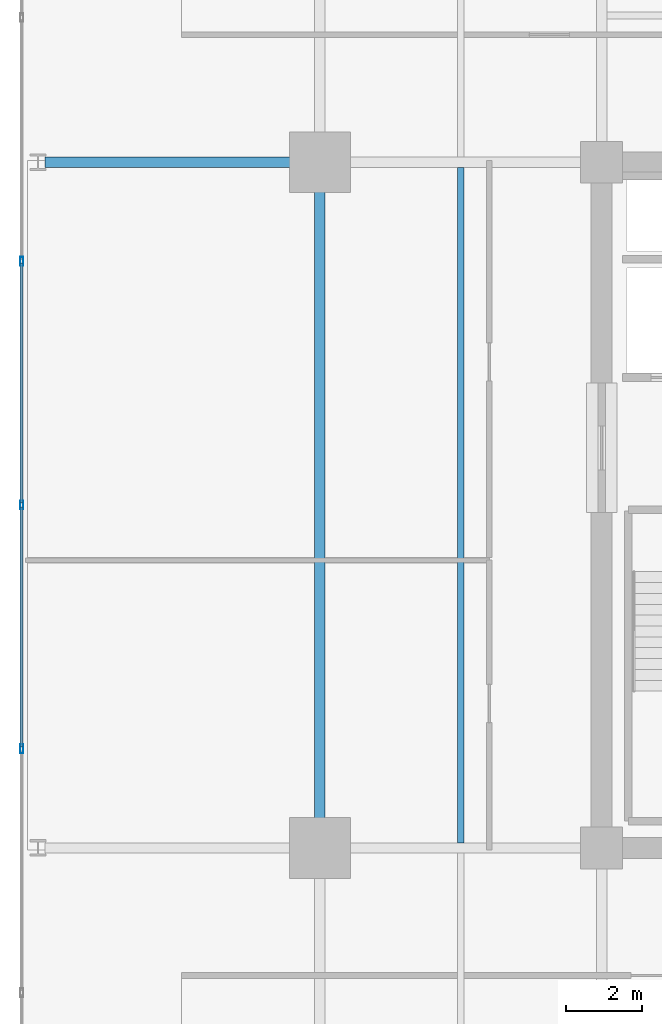
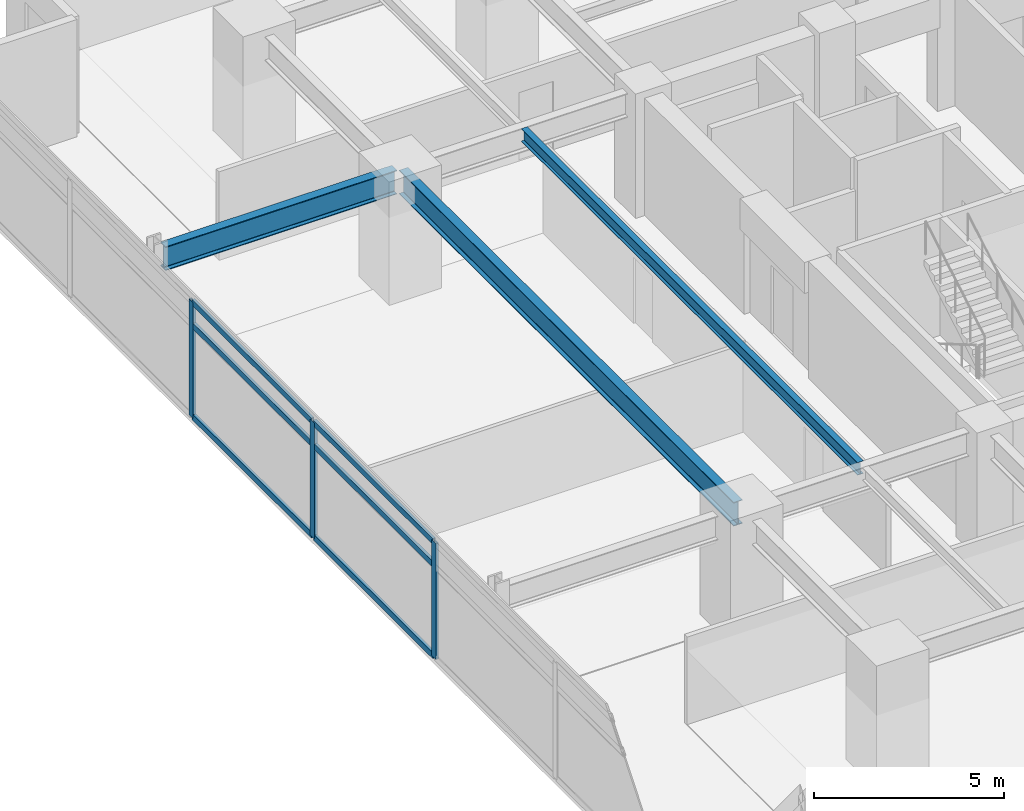
# One storey, part 6 of 20: 9 members, 3 beams, 1 element without a shape of its own.
"""IFC4 building model written with IfcOpenShell, lengths in metres."""

from ifc_helpers import new_model, si_unit, direction, frame, origin, origin_2d, place, context, subcontext, project, spatial, hollow_rectangle, i_section, extrude, material, material_profile, profile_set, type_object, element, aggregate, save


model = new_model("IFC4")

# Units and contexts
model_context = context("Model", 3, precision=1e-05, world=origin(), true_north=direction((0.0, 1.0)))
body_context = subcontext(model_context, "Body", "Model", "MODEL_VIEW")
ifc_project = project(units=[si_unit("LENGTHUNIT", "METRE"), si_unit("AREAUNIT", "SQUARE_METRE"), si_unit("VOLUMEUNIT", "CUBIC_METRE"), si_unit("PLANEANGLEUNIT", "RADIAN"), si_unit("MASSUNIT", "GRAM", prefix="KILO")], contexts=[model_context])

# Site, building, storey
site_placement = place(None, origin())
site = spatial("IfcSite", under=ifc_project, at=site_placement, CompositionType="ELEMENT")
building_placement = place(site_placement, origin())
building = spatial("IfcBuilding", under=site, at=building_placement, Name="Kovane Verandah Tower", CompositionType="ELEMENT")
storey_placement = place(building_placement, frame((0.0, 0.0, 128.39990234375)))
storey = spatial("IfcBuildingStorey", under=building, at=storey_placement, Name="L29", CompositionType="ELEMENT", Elevation=128.39990234375)

# Beams
ifc_material_1 = material(Name="Steel S355", Category="steel")
ifc_material_profile_1 = material_profile(ifc_material_1, i_section(OverallWidth=0.26806640625, OverallDepth=0.769775390625, WebThickness=0.015625, FlangeThickness=0.025390625, FilletRadius=0.0166015625, at=origin_2d()), Name="UB762x267x197")
ifc_profile_set_1 = profile_set([ifc_material_profile_1], Name="Steel S355")
beam_type_1 = type_object("IfcBeamType", Name="BM-UB762x197", PredefinedType="BEAM", material=ifc_profile_set_1)
beam_1_placement = place(storey_placement, frame((21.60009765625, 18.679931640625, 3.39013671875), z_axis=(0.0, 1.0, 0.0), x_axis=(-1.0, 0.0, 0.0)))
element("IfcBeam", 1, at=beam_1_placement, inside=storey, type_object=beam_type_1, Name="L29 Primary Tower Girder G-RW2", PredefinedType="BEAM", context=body_context, shape_type="SweptSolid", body=[
    extrude(i_section(OverallWidth=0.26806640625, OverallDepth=0.769775390625, WebThickness=0.015625, FlangeThickness=0.025390625, FilletRadius=0.0166015625, at=origin_2d()), origin(), (0.0, 0.0, 1.0), 17.64013671875),
])
beam_2_placement = place(storey_placement, frame((21.419921875, 36.5, 3.375244140625), z_axis=(-1.0, 0.0, 0.0), x_axis=(0.0, -1.0, 0.0)))
element("IfcBeam", 2, at=beam_2_placement, inside=storey, type_object=beam_type_1, Name="L29 Primary Tower Girder G-VW2", PredefinedType="BEAM", context=body_context, shape_type="SweptSolid", body=[
    extrude(i_section(OverallWidth=0.26806640625, OverallDepth=0.769775390625, WebThickness=0.015625, FlangeThickness=0.025390625, FilletRadius=0.0166015625, at=origin_2d()), origin(), (0.0, 0.0, 1.0), 7.0400390625),
])

# Curtain wall, members
ifc_material_2 = material(Name="Champagne Anodised Aluminium Frame with Low-E Clear Laminated Glass", Category="aluminium")
curtain_wall_type = type_object("IfcCurtainWallType", Name="CW-SYS-03-MID", PredefinedType="NOTDEFINED", material=ifc_material_2)
curtain_wall_placement = place(storey_placement, origin())
curtain_wall = element("IfcCurtainWall", 3, at=curtain_wall_placement, inside=storey, type_object=curtain_wall_type, Name="L29 W Unitised Curtain Wall", PredefinedType="NOTDEFINED")
ifc_material_3 = material(Name="Champagne Anodised Aluminium 6063-T6", Category="aluminium")
ifc_material_profile_2 = material_profile(ifc_material_3, hollow_rectangle(XDim=0.0849609375, YDim=0.22998046875, WallThickness=0.00390625, at=origin_2d()), Name="AL85x230x4")
ifc_profile_set_2 = profile_set([ifc_material_profile_2], Name="Champagne Anodised Aluminium 6063-T6")
member_type_1 = type_object("IfcMemberType", Name="CW-MUL-85x230", PredefinedType="MULLION", material=ifc_profile_set_2)
member_1_placement = place(storey_placement, frame((13.771240234375, 33.89990234375, 0.02001953125), z_axis=(0.0, 0.0, 1.0), x_axis=(-1.0, 0.0, 0.0)))
member_1 = element("IfcMember", 4, at=member_1_placement, type_object=member_type_1, Name="L29 W Unitised Curtain Wall Mullion 3", PredefinedType="MULLION", context=body_context, shape_type="SweptSolid", body=[
    extrude(hollow_rectangle(XDim=0.0849609375, YDim=0.22998046875, WallThickness=0.00390625, at=origin_2d()), origin(), (0.0, 0.0, 1.0), 3.735107421875),
])
member_2_placement = place(storey_placement, frame((13.771240234375, 27.5, 0.02001953125), z_axis=(0.0, 0.0, 1.0), x_axis=(-1.0, 0.0, 0.0)))
member_2 = element("IfcMember", 5, at=member_2_placement, type_object=member_type_1, Name="L29 W Unitised Curtain Wall Mullion 4", PredefinedType="MULLION", context=body_context, shape_type="SweptSolid", body=[
    extrude(hollow_rectangle(XDim=0.0849609375, YDim=0.22998046875, WallThickness=0.00390625, at=origin_2d()), origin(), (0.0, 0.0, 1.0), 3.735107421875),
])
member_3_placement = place(storey_placement, frame((13.771240234375, 21.10009765625, 0.02001953125), z_axis=(0.0, 0.0, 1.0), x_axis=(-1.0, 0.0, 0.0)))
member_3 = element("IfcMember", 6, at=member_3_placement, type_object=member_type_1, Name="L29 W Unitised Curtain Wall Mullion 5", PredefinedType="MULLION", context=body_context, shape_type="SweptSolid", body=[
    extrude(hollow_rectangle(XDim=0.0849609375, YDim=0.22998046875, WallThickness=0.00390625, at=origin_2d()), origin(), (0.0, 0.0, 1.0), 3.735107421875),
])
ifc_material_profile_3 = material_profile(ifc_material_3, hollow_rectangle(XDim=0.0849609375, YDim=0.18994140625, WallThickness=0.00390625, at=origin_2d()), Name="AL85x190x4")
ifc_profile_set_3 = profile_set([ifc_material_profile_3], Name="Champagne Anodised Aluminium 6063-T6")
member_type_2 = type_object("IfcMemberType", Name="CW-TRN-85x190", PredefinedType="USERDEFINED", material=ifc_profile_set_3)
member_4_placement = place(storey_placement, frame((13.771240234375, 33.85009765625, 0.050048828125), z_axis=(0.0, -1.0, 0.0), x_axis=(1.0, 0.0, 0.0)))
member_4 = element("IfcMember", 7, at=member_4_placement, type_object=member_type_2, Name="L29 W Unitised Curtain Wall Transom TB Bay 3", ObjectType="TRANSOM", PredefinedType="USERDEFINED", context=body_context, shape_type="SweptSolid", body=[
    extrude(hollow_rectangle(XDim=0.0849609375, YDim=0.18994140625, WallThickness=0.00390625, at=origin_2d()), origin(), (0.0, 0.0, 1.0), 6.300048828125),
])
member_5_placement = place(storey_placement, frame((13.771240234375, 33.85009765625, 2.9951171875), z_axis=(0.0, -1.0, 0.0), x_axis=(1.0, 0.0, 0.0)))
member_5 = element("IfcMember", 8, at=member_5_placement, type_object=member_type_2, Name="L29 W Unitised Curtain Wall Transom TM Bay 3", ObjectType="TRANSOM", PredefinedType="USERDEFINED", context=body_context, shape_type="SweptSolid", body=[
    extrude(hollow_rectangle(XDim=0.0849609375, YDim=0.18994140625, WallThickness=0.00390625, at=origin_2d()), origin(), (0.0, 0.0, 1.0), 6.300048828125),
])
member_6_placement = place(storey_placement, frame((13.771240234375, 33.85009765625, 3.72509765625), z_axis=(0.0, -1.0, 0.0), x_axis=(1.0, 0.0, 0.0)))
member_6 = element("IfcMember", 9, at=member_6_placement, type_object=member_type_2, Name="L29 W Unitised Curtain Wall Transom TT Bay 3", ObjectType="TRANSOM", PredefinedType="USERDEFINED", context=body_context, shape_type="SweptSolid", body=[
    extrude(hollow_rectangle(XDim=0.0849609375, YDim=0.18994140625, WallThickness=0.00390625, at=origin_2d()), origin(), (0.0, 0.0, 1.0), 6.300048828125),
])
member_7_placement = place(storey_placement, frame((13.771240234375, 27.449951171875, 0.050048828125), z_axis=(0.0, -1.0, 0.0), x_axis=(1.0, 0.0, 0.0)))
member_7 = element("IfcMember", 10, at=member_7_placement, type_object=member_type_2, Name="L29 W Unitised Curtain Wall Transom TB Bay 4", ObjectType="TRANSOM", PredefinedType="USERDEFINED", context=body_context, shape_type="SweptSolid", body=[
    extrude(hollow_rectangle(XDim=0.0849609375, YDim=0.18994140625, WallThickness=0.00390625, at=origin_2d()), origin(), (0.0, 0.0, 1.0), 6.300048828125),
])
member_8_placement = place(storey_placement, frame((13.771240234375, 27.449951171875, 2.9951171875), z_axis=(0.0, -1.0, 0.0), x_axis=(1.0, 0.0, 0.0)))
member_8 = element("IfcMember", 11, at=member_8_placement, type_object=member_type_2, Name="L29 W Unitised Curtain Wall Transom TM Bay 4", ObjectType="TRANSOM", PredefinedType="USERDEFINED", context=body_context, shape_type="SweptSolid", body=[
    extrude(hollow_rectangle(XDim=0.0849609375, YDim=0.18994140625, WallThickness=0.00390625, at=origin_2d()), origin(), (0.0, 0.0, 1.0), 6.300048828125),
])
member_9_placement = place(storey_placement, frame((13.771240234375, 27.449951171875, 3.72509765625), z_axis=(0.0, -1.0, 0.0), x_axis=(1.0, 0.0, 0.0)))
member_9 = element("IfcMember", 12, at=member_9_placement, type_object=member_type_2, Name="L29 W Unitised Curtain Wall Transom TT Bay 4", ObjectType="TRANSOM", PredefinedType="USERDEFINED", context=body_context, shape_type="SweptSolid", body=[
    extrude(hollow_rectangle(XDim=0.0849609375, YDim=0.18994140625, WallThickness=0.00390625, at=origin_2d()), origin(), (0.0, 0.0, 1.0), 6.300048828125),
])
aggregate(curtain_wall, [member_1, member_2, member_3, member_4, member_5, member_6, member_7, member_8, member_9])

# Beam
ifc_material_profile_4 = material_profile(ifc_material_1, i_section(OverallWidth=0.179443359375, OverallDepth=0.412841796875, WebThickness=0.009521484375, FlangeThickness=0.01611328125, FilletRadius=0.01025390625, at=origin_2d()), Name="UB406x178x74")
ifc_profile_set_4 = profile_set([ifc_material_profile_4], Name="Steel S355")
beam_type_2 = type_object("IfcBeamType", Name="JST-UB406x74", PredefinedType="JOIST", material=ifc_profile_set_4)
beam_3_placement = place(storey_placement, frame((25.300048828125, 18.632080078125, 3.568603515625), z_axis=(0.0, 1.0, 0.0), x_axis=(-1.0, 0.0, 0.0)))
element("IfcBeam", 13, at=beam_3_placement, inside=storey, type_object=beam_type_2, Name="L29 Secondary Composite Joist J-W1", PredefinedType="JOIST", context=body_context, shape_type="SweptSolid", body=[
    extrude(i_section(OverallWidth=0.179443359375, OverallDepth=0.412841796875, WebThickness=0.009521484375, FlangeThickness=0.01611328125, FilletRadius=0.01025390625, at=origin_2d()), origin(), (0.0, 0.0, 1.0), 17.73583984375),
])

save(model, "model.ifc")
